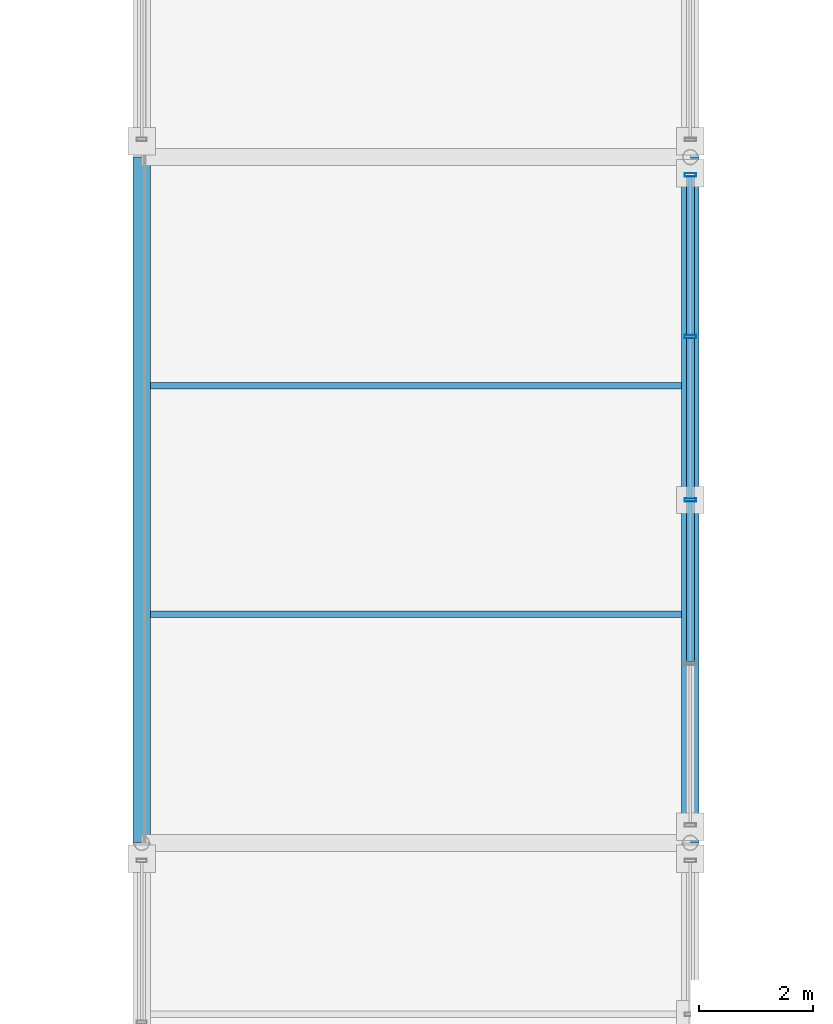
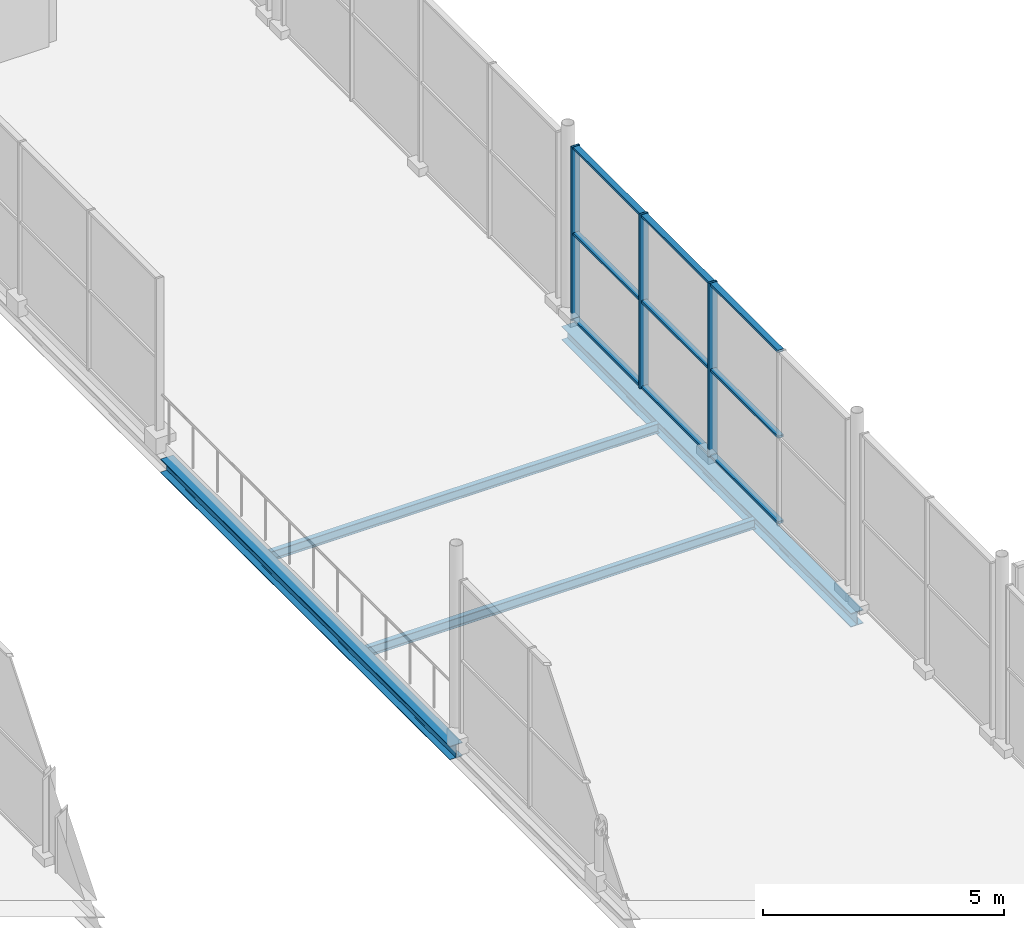
# One storey, part 61 of 159: 12 members, 4 beams, 1 element without a shape of its own.
"""IFC4 building model written with IfcOpenShell, lengths in metres."""

from ifc_helpers import new_model, si_unit, direction, frame, origin, origin_2d, place, context, subcontext, project, spatial, hollow_rectangle, i_section, extrude, material, material_profile, profile_set, type_object, element, aggregate, save


model = new_model("IFC4")

# Units and contexts
model_context = context("Model", 3, precision=1e-05, world=origin(), true_north=direction((0.0, 1.0)))
body_context = subcontext(model_context, "Body", "Model", "MODEL_VIEW")
ifc_project = project(units=[si_unit("LENGTHUNIT", "METRE"), si_unit("AREAUNIT", "SQUARE_METRE"), si_unit("VOLUMEUNIT", "CUBIC_METRE"), si_unit("PLANEANGLEUNIT", "RADIAN"), si_unit("MASSUNIT", "GRAM", prefix="KILO")], contexts=[model_context])

# Site, building, storey
site_placement = place(None, origin())
site = spatial("IfcSite", under=ifc_project, at=site_placement, CompositionType="ELEMENT")
building_placement = place(site_placement, origin())
building = spatial("IfcBuilding", under=site, at=building_placement, Name="Merenkruunu Market Hall", CompositionType="ELEMENT")
storey_placement = place(building_placement, frame((0.0, 0.0, 5.39990234375)))
storey = spatial("IfcBuildingStorey", under=building, at=storey_placement, Name="L01", CompositionType="ELEMENT", Elevation=5.39990234375)

# Curtain wall, members
ifc_material_1 = material(Name="Powder-coated aluminium", Category="aluminium")
curtain_wall_type = type_object("IfcCurtainWallType", Name="Glazed Curtain Wall CW11", PredefinedType="USERDEFINED", material=ifc_material_1)
curtain_wall_placement = place(storey_placement, origin())
curtain_wall = element("IfcCurtainWall", 1, at=curtain_wall_placement, inside=storey, type_object=curtain_wall_type, Name="CW-L01-CWM03-160", ObjectType="GLAZED_FACADE", PredefinedType="USERDEFINED")
ifc_material_profile_1 = material_profile(ifc_material_1, hollow_rectangle(XDim=0.06005859375, YDim=0.199951171875, WallThickness=0.0048828125, at=origin_2d()), Name="ALU 60x200x5")
ifc_profile_set_1 = profile_set([ifc_material_profile_1], Name="Powder-coated aluminium")
member_type_1 = type_object("IfcMemberType", Name="Curtain Wall Mullion CWM03", PredefinedType="MULLION", material=ifc_profile_set_1)
member_1_placement = place(storey_placement, frame((76.800048828125, 63.2900390625, 0.0), z_axis=(0.0, 0.0, 1.0), x_axis=(0.0, -1.0, 0.0)))
member_1 = element("IfcMember", 2, at=member_1_placement, type_object=member_type_1, Name="CW11 mullion 1", PredefinedType="MULLION", context=body_context, shape_type="SweptSolid", body=[
    extrude(hollow_rectangle(XDim=0.06005859375, YDim=0.199951171875, WallThickness=0.0048828125, at=origin_2d()), origin(), (0.0, 0.0, 1.0), 4.400146484375),
])
member_2_placement = place(storey_placement, frame((76.800048828125, 60.4599609375, 0.0), z_axis=(0.0, 0.0, 1.0), x_axis=(0.0, -1.0, 0.0)))
member_2 = element("IfcMember", 3, at=member_2_placement, type_object=member_type_1, Name="CW11 mullion 2", PredefinedType="MULLION", context=body_context, shape_type="SweptSolid", body=[
    extrude(hollow_rectangle(XDim=0.06005859375, YDim=0.199951171875, WallThickness=0.0048828125, at=origin_2d()), origin(), (0.0, 0.0, 1.0), 4.400146484375),
])
member_3_placement = place(storey_placement, frame((76.800048828125, 57.60009765625, 0.0), z_axis=(0.0, 0.0, 1.0), x_axis=(0.0, -1.0, 0.0)))
member_3 = element("IfcMember", 4, at=member_3_placement, type_object=member_type_1, Name="CW11 mullion 3", PredefinedType="MULLION", context=body_context, shape_type="SweptSolid", body=[
    extrude(hollow_rectangle(XDim=0.06005859375, YDim=0.199951171875, WallThickness=0.0048828125, at=origin_2d()), origin(), (0.0, 0.0, 1.0), 4.400146484375),
])
ifc_material_profile_2 = material_profile(ifc_material_1, hollow_rectangle(XDim=0.06005859375, YDim=0.139892578125, WallThickness=0.00390625, at=origin_2d()), Name="ALU 60x140x4")
ifc_profile_set_2 = profile_set([ifc_material_profile_2], Name="Powder-coated aluminium")
member_type_2 = type_object("IfcMemberType", Name="Curtain Wall Transom CWT02", PredefinedType="USERDEFINED", material=ifc_profile_set_2)
member_4_placement = place(storey_placement, frame((76.800048828125, 63.260009765625, 0.030029296875), z_axis=(0.0, -1.0, 0.0), x_axis=(0.0, 0.0, 1.0)))
member_4 = element("IfcMember", 5, at=member_4_placement, type_object=member_type_2, Name="CW11 transom 1.1", ObjectType="TRANSOM", PredefinedType="USERDEFINED", context=body_context, shape_type="SweptSolid", body=[
    extrude(hollow_rectangle(XDim=0.06005859375, YDim=0.139892578125, WallThickness=0.00390625, at=origin_2d()), origin(), (0.0, 0.0, 1.0), 2.77001953125),
])
member_5_placement = place(storey_placement, frame((76.800048828125, 63.260009765625, 2.2001953125), z_axis=(0.0, -1.0, 0.0), x_axis=(0.0, 0.0, 1.0)))
member_5 = element("IfcMember", 6, at=member_5_placement, type_object=member_type_2, Name="CW11 transom 1.2", ObjectType="TRANSOM", PredefinedType="USERDEFINED", context=body_context, shape_type="SweptSolid", body=[
    extrude(hollow_rectangle(XDim=0.06005859375, YDim=0.139892578125, WallThickness=0.00390625, at=origin_2d()), origin(), (0.0, 0.0, 1.0), 2.77001953125),
])
member_6_placement = place(storey_placement, frame((76.800048828125, 63.260009765625, 4.3701171875), z_axis=(0.0, -1.0, 0.0), x_axis=(0.0, 0.0, 1.0)))
member_6 = element("IfcMember", 7, at=member_6_placement, type_object=member_type_2, Name="CW11 transom 1.3", ObjectType="TRANSOM", PredefinedType="USERDEFINED", context=body_context, shape_type="SweptSolid", body=[
    extrude(hollow_rectangle(XDim=0.06005859375, YDim=0.139892578125, WallThickness=0.00390625, at=origin_2d()), origin(), (0.0, 0.0, 1.0), 2.77001953125),
])
member_7_placement = place(storey_placement, frame((76.800048828125, 60.429931640625, 0.030029296875), z_axis=(0.0, -1.0, 0.0), x_axis=(0.0, 0.0, 1.0)))
member_7 = element("IfcMember", 8, at=member_7_placement, type_object=member_type_2, Name="CW11 transom 2.1", ObjectType="TRANSOM", PredefinedType="USERDEFINED", context=body_context, shape_type="SweptSolid", body=[
    extrude(hollow_rectangle(XDim=0.06005859375, YDim=0.139892578125, WallThickness=0.00390625, at=origin_2d()), origin(), (0.0, 0.0, 1.0), 2.800048828125),
])
member_8_placement = place(storey_placement, frame((76.800048828125, 60.429931640625, 2.2001953125), z_axis=(0.0, -1.0, 0.0), x_axis=(0.0, 0.0, 1.0)))
member_8 = element("IfcMember", 9, at=member_8_placement, type_object=member_type_2, Name="CW11 transom 2.2", ObjectType="TRANSOM", PredefinedType="USERDEFINED", context=body_context, shape_type="SweptSolid", body=[
    extrude(hollow_rectangle(XDim=0.06005859375, YDim=0.139892578125, WallThickness=0.00390625, at=origin_2d()), origin(), (0.0, 0.0, 1.0), 2.800048828125),
])
member_9_placement = place(storey_placement, frame((76.800048828125, 60.429931640625, 4.3701171875), z_axis=(0.0, -1.0, 0.0), x_axis=(0.0, 0.0, 1.0)))
member_9 = element("IfcMember", 10, at=member_9_placement, type_object=member_type_2, Name="CW11 transom 2.3", ObjectType="TRANSOM", PredefinedType="USERDEFINED", context=body_context, shape_type="SweptSolid", body=[
    extrude(hollow_rectangle(XDim=0.06005859375, YDim=0.139892578125, WallThickness=0.00390625, at=origin_2d()), origin(), (0.0, 0.0, 1.0), 2.800048828125),
])
member_10_placement = place(storey_placement, frame((76.800048828125, 57.570068359375, 0.030029296875), z_axis=(0.0, -1.0, 0.0), x_axis=(0.0, 0.0, 1.0)))
member_10 = element("IfcMember", 11, at=member_10_placement, type_object=member_type_2, Name="CW11 transom 3.1", ObjectType="TRANSOM", PredefinedType="USERDEFINED", context=body_context, shape_type="SweptSolid", body=[
    extrude(hollow_rectangle(XDim=0.06005859375, YDim=0.139892578125, WallThickness=0.00390625, at=origin_2d()), origin(), (0.0, 0.0, 1.0), 2.800048828125),
])
member_11_placement = place(storey_placement, frame((76.800048828125, 57.570068359375, 2.2001953125), z_axis=(0.0, -1.0, 0.0), x_axis=(0.0, 0.0, 1.0)))
member_11 = element("IfcMember", 12, at=member_11_placement, type_object=member_type_2, Name="CW11 transom 3.2", ObjectType="TRANSOM", PredefinedType="USERDEFINED", context=body_context, shape_type="SweptSolid", body=[
    extrude(hollow_rectangle(XDim=0.06005859375, YDim=0.139892578125, WallThickness=0.00390625, at=origin_2d()), origin(), (0.0, 0.0, 1.0), 2.800048828125),
])
member_12_placement = place(storey_placement, frame((76.800048828125, 57.570068359375, 4.3701171875), z_axis=(0.0, -1.0, 0.0), x_axis=(0.0, 0.0, 1.0)))
member_12 = element("IfcMember", 13, at=member_12_placement, type_object=member_type_2, Name="CW11 transom 3.3", ObjectType="TRANSOM", PredefinedType="USERDEFINED", context=body_context, shape_type="SweptSolid", body=[
    extrude(hollow_rectangle(XDim=0.06005859375, YDim=0.139892578125, WallThickness=0.00390625, at=origin_2d()), origin(), (0.0, 0.0, 1.0), 2.800048828125),
])
aggregate(curtain_wall, [member_1, member_2, member_3, member_4, member_5, member_6, member_7, member_8, member_9, member_10, member_11, member_12])

# Beams
ifc_material_2 = material(Name="Steel S355J2", Category="steel")
ifc_material_profile_3 = material_profile(ifc_material_2, i_section(OverallWidth=0.300048828125, OverallDepth=0.35009765625, WebThickness=0.010009765625, FlangeThickness=0.017578125, FilletRadius=0.027099609375, at=origin_2d()), Name="HEA 360")
ifc_profile_set_3 = profile_set([ifc_material_profile_3], Name="Steel S355J2")
beam_type_1 = type_object("IfcBeamType", Name="Primary Floor Girder B08", PredefinedType="BEAM", material=ifc_profile_set_3)
for number, where, z_axis, x_axis, name in (
    (14, (67.199951171875, 51.60009765625, -0.48486328125), (0.0, 1.0, 0.0), (-1.0, 0.0, 0.0), "BM-L01-B08-0593"),
    (15, (76.800048828125, 51.60009765625, -0.48486328125), (0.0, 1.0, 0.0), (-1.0, 0.0, 0.0), "BM-L01-B08-0601"),
):
    element("IfcBeam", number, at=place(storey_placement, frame(where, z_axis=z_axis, x_axis=x_axis)), inside=storey, type_object=beam_type_1, Name=name, PredefinedType="BEAM", context=body_context, shape_type="SweptSolid", body=[
        extrude(i_section(OverallWidth=0.300048828125, OverallDepth=0.35009765625, WebThickness=0.010009765625, FlangeThickness=0.017578125, FilletRadius=0.027099609375, at=origin_2d()), origin(), (0.0, 0.0, 1.0), 12.0),
    ])
ifc_material_profile_4 = material_profile(ifc_material_2, i_section(OverallWidth=0.1201171875, OverallDepth=0.239990234375, WebThickness=0.006103515625, FlangeThickness=0.009765625, FilletRadius=0.014892578125, at=origin_2d()), Name="IPE 240")
ifc_profile_set_4 = profile_set([ifc_material_profile_4], Name="Steel S355J2")
beam_type_2 = type_object("IfcBeamType", Name="Secondary Floor Joist J05", PredefinedType="JOIST", material=ifc_profile_set_4)
for number, where, z_axis, x_axis, name in (
    (16, (67.35302734375, 55.60009765625, -0.429931640625), (1.0, 0.0, 0.0), (0.0, 1.0, 0.0), "BM-L01-J05-0682"),
    (17, (67.35302734375, 59.60009765625, -0.429931640625), (1.0, 0.0, 0.0), (0.0, 1.0, 0.0), "BM-L01-J05-0683"),
):
    element("IfcBeam", number, at=place(storey_placement, frame(where, z_axis=z_axis, x_axis=x_axis)), inside=storey, type_object=beam_type_2, Name=name, PredefinedType="JOIST", context=body_context, shape_type="SweptSolid", body=[
        extrude(i_section(OverallWidth=0.1201171875, OverallDepth=0.239990234375, WebThickness=0.006103515625, FlangeThickness=0.009765625, FilletRadius=0.014892578125, at=origin_2d()), origin(), (0.0, 0.0, 1.0), 9.2939453125),
    ])

save(model, "model.ifc")
